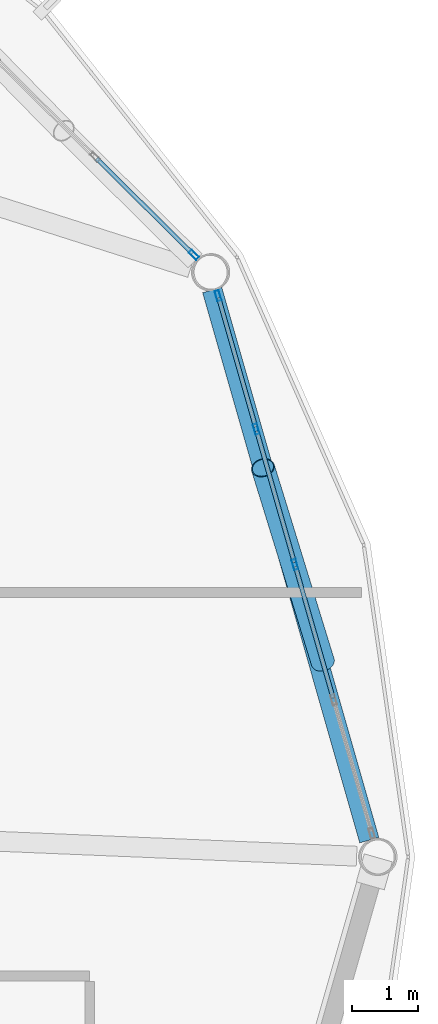
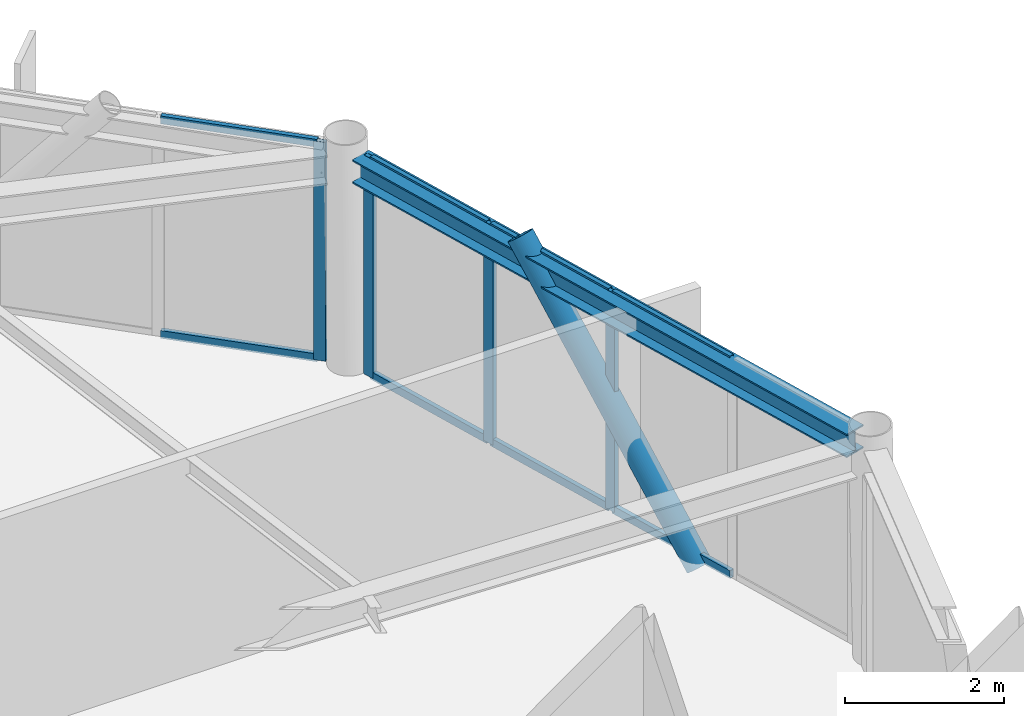
# One storey, part 15 of 24: 13 members, 1 beam, 2 elements without a shape of their own.
"""IFC4 building model written with IfcOpenShell, lengths in metres."""

from ifc_helpers import new_model, si_unit, direction, frame, origin, origin_2d, place, context, subcontext, project, spatial, hollow_rectangle, hollow_circle, i_section, extrude, material, layer, layer_set, material_profile, profile_set, type_object, element, aggregate, save


model = new_model("IFC4")

# Units and contexts
model_context = context("Model", 3, precision=1e-05, world=origin(), true_north=direction((0.0, 1.0)))
body_context = subcontext(model_context, "Body", "Model", "MODEL_VIEW")
ifc_project = project(units=[si_unit("LENGTHUNIT", "METRE"), si_unit("AREAUNIT", "SQUARE_METRE"), si_unit("VOLUMEUNIT", "CUBIC_METRE"), si_unit("PLANEANGLEUNIT", "RADIAN"), si_unit("MASSUNIT", "GRAM", prefix="KILO")], contexts=[model_context])

# Site, building, storey
site_placement = place(None, origin())
site = spatial("IfcSite", under=ifc_project, at=site_placement, CompositionType="ELEMENT")
building_placement = place(site_placement, origin())
building = spatial("IfcBuilding", under=site, at=building_placement, Name="Varnakorn Sky Granary", CompositionType="ELEMENT")
storey_placement = place(building_placement, frame((0.0, 0.0, 274.199951171875)))
storey = spatial("IfcBuildingStorey", under=building, at=storey_placement, Name="L70", CompositionType="ELEMENT", Elevation=274.199951171875)

# Beam
ifc_material_1 = material(Name="Steel S355JR", Category="steel")
ifc_material_profile_1 = material_profile(ifc_material_1, i_section(OverallWidth=0.300048828125, OverallDepth=0.360107421875, WebThickness=0.012451171875, FlangeThickness=0.0224609375, at=origin_2d()), Name="HE 360 B")
ifc_profile_set_1 = profile_set([ifc_material_profile_1], Name="Steel S355JR")
beam_type = type_object("IfcBeamType", Name="BM-SPD-Z5", PredefinedType="SPANDREL", material=ifc_profile_set_1)
beam_placement = place(storey_placement, frame((22.73046875, 0.25439453125, 3.179931640625), z_axis=(-0.274557243442, 0.961570756665, 0.0), x_axis=(-0.961570756665, -0.274557243442, 0.0)))
element("IfcBeam", 1, at=beam_placement, inside=storey, type_object=beam_type, Name="Perimeter Spandrel Ring Beam RB01 L70", PredefinedType="SPANDREL", context=body_context, shape_type="SweptSolid", body=[
    extrude(i_section(OverallWidth=0.300048828125, OverallDepth=0.360107421875, WebThickness=0.012451171875, FlangeThickness=0.0224609375, at=origin_2d()), origin(), (0.0, 0.0, 1.0), 8.657470703125),
])

# Curtain wall, members
ifc_material_2 = material(Name="Anodised Bronze Aluminium Alloy 6063-T6", Category="aluminium")
ifc_layer = layer(ifc_material_2, 0.159912109375, Name="Anodised Bronze Aluminium Alloy 6063-T6")
ifc_layer_set = layer_set([ifc_layer], Name="Anodised Bronze Aluminium Alloy 6063-T6")
curtain_wall_type = type_object("IfcCurtainWallType", Name="CW-OFF-1", PredefinedType="USERDEFINED", material=ifc_layer_set)
curtain_wall_1_placement = place(storey_placement, origin())
curtain_wall_1 = element("IfcCurtainWall", 2, at=curtain_wall_1_placement, inside=storey, type_object=curtain_wall_type, Name="Unitised Curtain Wall CW6 CW-L70-B01", ObjectType="CURTAIN WALL", PredefinedType="USERDEFINED")
ifc_material_profile_2 = material_profile(ifc_material_2, hollow_rectangle(XDim=0.06494140625, YDim=0.159912109375, WallThickness=0.00341796875, at=origin_2d()), Name="ALU MULL 65x160")
ifc_profile_set_2 = profile_set([ifc_material_profile_2], Name="Anodised Bronze Aluminium Alloy 6063-T6")
member_type_1 = type_object("IfcMemberType", Name="CW-OFF-1-MULL", PredefinedType="MULLION", material=ifc_profile_set_2)
member_1_placement = place(storey_placement, frame((20.442138671875, 8.492431640625, 0.0), z_axis=(0.0, 0.0, 1.0), x_axis=(0.961448226015, 0.27498601545, 0.0)))
member_1 = element("IfcMember", 3, at=member_1_placement, type_object=member_type_1, Name="CW6 mullion 1", PredefinedType="MULLION", context=body_context, shape_type="SweptSolid", body=[
    extrude(hollow_rectangle(XDim=0.06494140625, YDim=0.159912109375, WallThickness=0.00341796875, at=origin_2d()), origin(), (0.0, 0.0, 1.0), 3.360107421875),
])
member_2_placement = place(storey_placement, frame((21.019287109375, 6.474365234375, 0.0), z_axis=(0.0, 0.0, 1.0), x_axis=(0.961448226015, 0.27498601545, 0.0)))
member_2 = element("IfcMember", 4, at=member_2_placement, type_object=member_type_1, Name="CW6 mullion 2", PredefinedType="MULLION", context=body_context, shape_type="SweptSolid", body=[
    extrude(hollow_rectangle(XDim=0.06494140625, YDim=0.159912109375, WallThickness=0.00341796875, at=origin_2d()), origin(), (0.0, 0.0, 1.0), 3.360107421875),
])
member_3_placement = place(storey_placement, frame((21.60546875, 4.425048828125, 0.0), z_axis=(0.0, 0.0, 1.0), x_axis=(0.961448226015, 0.27498601545, 0.0)))
member_3 = element("IfcMember", 5, at=member_3_placement, type_object=member_type_1, Name="CW6 mullion 3", PredefinedType="MULLION", context=body_context, shape_type="SweptSolid", body=[
    extrude(hollow_rectangle(XDim=0.06494140625, YDim=0.159912109375, WallThickness=0.00341796875, at=origin_2d()), origin(), (0.0, 0.0, 1.0), 3.360107421875),
])

# Curtain wall, member
curtain_wall_2_placement = place(storey_placement, origin())
curtain_wall_2 = element("IfcCurtainWall", 6, at=curtain_wall_2_placement, inside=storey, type_object=curtain_wall_type, Name="Unitised Curtain Wall CW6 CW-L70-B02", ObjectType="CURTAIN WALL", PredefinedType="USERDEFINED")
member_4_placement = place(storey_placement, frame((20.0751953125, 9.111572265625, 0.0), z_axis=(0.0, 0.0, 1.0), x_axis=(0.703399020646, 0.710795200993, 0.0)))
member_4 = element("IfcMember", 7, at=member_4_placement, type_object=member_type_1, Name="CW6 mullion 5", PredefinedType="MULLION", context=body_context, shape_type="SweptSolid", body=[
    extrude(hollow_rectangle(XDim=0.06494140625, YDim=0.159912109375, WallThickness=0.00341796875, at=origin_2d()), origin(), (0.0, 0.0, 1.0), 3.360107421875),
])

# Member
ifc_material_profile_3 = material_profile(ifc_material_2, hollow_rectangle(XDim=0.06494140625, YDim=0.1201171875, WallThickness=0.00341796875, at=origin_2d()), Name="ALU TRAN 65x120")
ifc_profile_set_3 = profile_set([ifc_material_profile_3], Name="Anodised Bronze Aluminium Alloy 6063-T6")
member_type_2 = type_object("IfcMemberType", Name="CW-OFF-1-TRAN", PredefinedType="USERDEFINED", material=ifc_profile_set_3)
member_5_placement = place(storey_placement, frame((20.450927734375, 8.461181640625, 0.032470703125), z_axis=(0.274990620279, -0.961446908965, 0.0), x_axis=(0.961446908965, 0.274990620279, 0.0)))
member_5 = element("IfcMember", 8, at=member_5_placement, type_object=member_type_2, Name="CW6 transom 1.1", ObjectType="TRANSOM", PredefinedType="USERDEFINED", context=body_context, shape_type="SweptSolid", body=[
    extrude(hollow_rectangle(XDim=0.06494140625, YDim=0.1201171875, WallThickness=0.00341796875, at=origin_2d()), origin(), (0.0, 0.0, 1.0), 2.033935546875),
])

member_6_placement = place(storey_placement, frame((20.450927734375, 8.461181640625, 3.32763671875), z_axis=(0.274990620279, -0.961446908965, 0.0), x_axis=(0.961446908965, 0.274990620279, 0.0)))
member_6 = element("IfcMember", 9, at=member_6_placement, type_object=member_type_2, Name="CW6 transom 1.2", ObjectType="TRANSOM", PredefinedType="USERDEFINED", context=body_context, shape_type="SweptSolid", body=[
    extrude(hollow_rectangle(XDim=0.06494140625, YDim=0.1201171875, WallThickness=0.00341796875, at=origin_2d()), origin(), (0.0, 0.0, 1.0), 2.033935546875),
])

member_7_placement = place(storey_placement, frame((21.028076171875, 6.443115234375, 0.032470703125), z_axis=(0.275033185057, -0.961434733675, 0.0), x_axis=(0.961434733675, 0.275033185057, 0.0)))
member_7 = element("IfcMember", 10, at=member_7_placement, type_object=member_type_2, Name="CW6 transom 2.1", ObjectType="TRANSOM", PredefinedType="USERDEFINED", context=body_context, shape_type="SweptSolid", body=[
    extrude(hollow_rectangle(XDim=0.06494140625, YDim=0.1201171875, WallThickness=0.00341796875, at=origin_2d()), origin(), (0.0, 0.0, 1.0), 2.06640625),
])

member_8_placement = place(storey_placement, frame((21.028076171875, 6.443115234375, 3.32763671875), z_axis=(0.275033185057, -0.961434733675, 0.0), x_axis=(0.961434733675, 0.275033185057, 0.0)))
member_8 = element("IfcMember", 11, at=member_8_placement, type_object=member_type_2, Name="CW6 transom 2.2", ObjectType="TRANSOM", PredefinedType="USERDEFINED", context=body_context, shape_type="SweptSolid", body=[
    extrude(hollow_rectangle(XDim=0.06494140625, YDim=0.1201171875, WallThickness=0.00341796875, at=origin_2d()), origin(), (0.0, 0.0, 1.0), 2.06640625),
])

member_9_placement = place(storey_placement, frame((21.6142578125, 4.393798828125, 0.032470703125), z_axis=(0.275033185057, -0.961434733675, 0.0), x_axis=(0.961434733675, 0.275033185057, 0.0)))
member_9 = element("IfcMember", 12, at=member_9_placement, type_object=member_type_2, Name="CW6 transom 3.1", ObjectType="TRANSOM", PredefinedType="USERDEFINED", context=body_context, shape_type="SweptSolid", body=[
    extrude(hollow_rectangle(XDim=0.06494140625, YDim=0.1201171875, WallThickness=0.00341796875, at=origin_2d()), origin(), (0.0, 0.0, 1.0), 2.06640625),
])

member_10_placement = place(storey_placement, frame((21.6142578125, 4.393798828125, 3.32763671875), z_axis=(0.275033185057, -0.961434733675, 0.0), x_axis=(0.961434733675, 0.275033185057, 0.0)))
member_10 = element("IfcMember", 13, at=member_10_placement, type_object=member_type_2, Name="CW6 transom 3.2", ObjectType="TRANSOM", PredefinedType="USERDEFINED", context=body_context, shape_type="SweptSolid", body=[
    extrude(hollow_rectangle(XDim=0.06494140625, YDim=0.1201171875, WallThickness=0.00341796875, at=origin_2d()), origin(), (0.0, 0.0, 1.0), 2.06640625),
])

aggregate(curtain_wall_1, [member_1, member_2, member_3, member_5, member_6, member_7, member_8, member_9, member_10])

member_11_placement = place(storey_placement, frame((18.60546875, 10.566162109375, 0.032470703125), z_axis=(0.710815410911, -0.703378597635, 0.0), x_axis=(0.703378597635, 0.710815410911, 0.0)))
member_11 = element("IfcMember", 14, at=member_11_placement, type_object=member_type_2, Name="CW6 transom 4.1", ObjectType="TRANSOM", PredefinedType="USERDEFINED", context=body_context, shape_type="SweptSolid", body=[
    extrude(hollow_rectangle(XDim=0.06494140625, YDim=0.1201171875, WallThickness=0.00341796875, at=origin_2d()), origin(), (0.0, 0.0, 1.0), 2.035400390625),
])

member_12_placement = place(storey_placement, frame((18.60546875, 10.566162109375, 3.32763671875), z_axis=(0.710815410911, -0.703378597635, 0.0), x_axis=(0.703378597635, 0.710815410911, 0.0)))
member_12 = element("IfcMember", 15, at=member_12_placement, type_object=member_type_2, Name="CW6 transom 4.2", ObjectType="TRANSOM", PredefinedType="USERDEFINED", context=body_context, shape_type="SweptSolid", body=[
    extrude(hollow_rectangle(XDim=0.06494140625, YDim=0.1201171875, WallThickness=0.00341796875, at=origin_2d()), origin(), (0.0, 0.0, 1.0), 2.035400390625),
])

aggregate(curtain_wall_2, [member_4, member_11, member_12])

ifc_material_3 = material(Name="Steel S460M", Category="steel")
ifc_material_profile_4 = material_profile(ifc_material_3, hollow_circle(Radius=0.177734375, WallThickness=0.01416015625, at=origin_2d()), Name="CHS 355.6x14")
ifc_profile_set_4 = profile_set([ifc_material_profile_4], Name="Steel S460M")
member_type_3 = type_object("IfcMemberType", Name="MB-DIAG-T5", PredefinedType="BRACE", material=ifc_profile_set_4)
member_13_placement = place(storey_placement, frame((22.027099609375, 2.949951171875, -0.1298828125), z_axis=(-0.190641797184, 0.618750594364, 0.762104590683), x_axis=(-0.955667368241, -0.294448435688, 0.0)))
element("IfcMember", 16, at=member_13_placement, inside=storey, type_object=member_type_3, Name="Perimeter CHS Diagrid Brace DG01 L70", PredefinedType="BRACE", context=body_context, shape_type="SweptSolid", body=[
    extrude(hollow_circle(Radius=0.177734375, WallThickness=0.01416015625, at=origin_2d()), origin(), (0.0, 0.0, 1.0), 4.749755859375),
])

save(model, "model.ifc")
